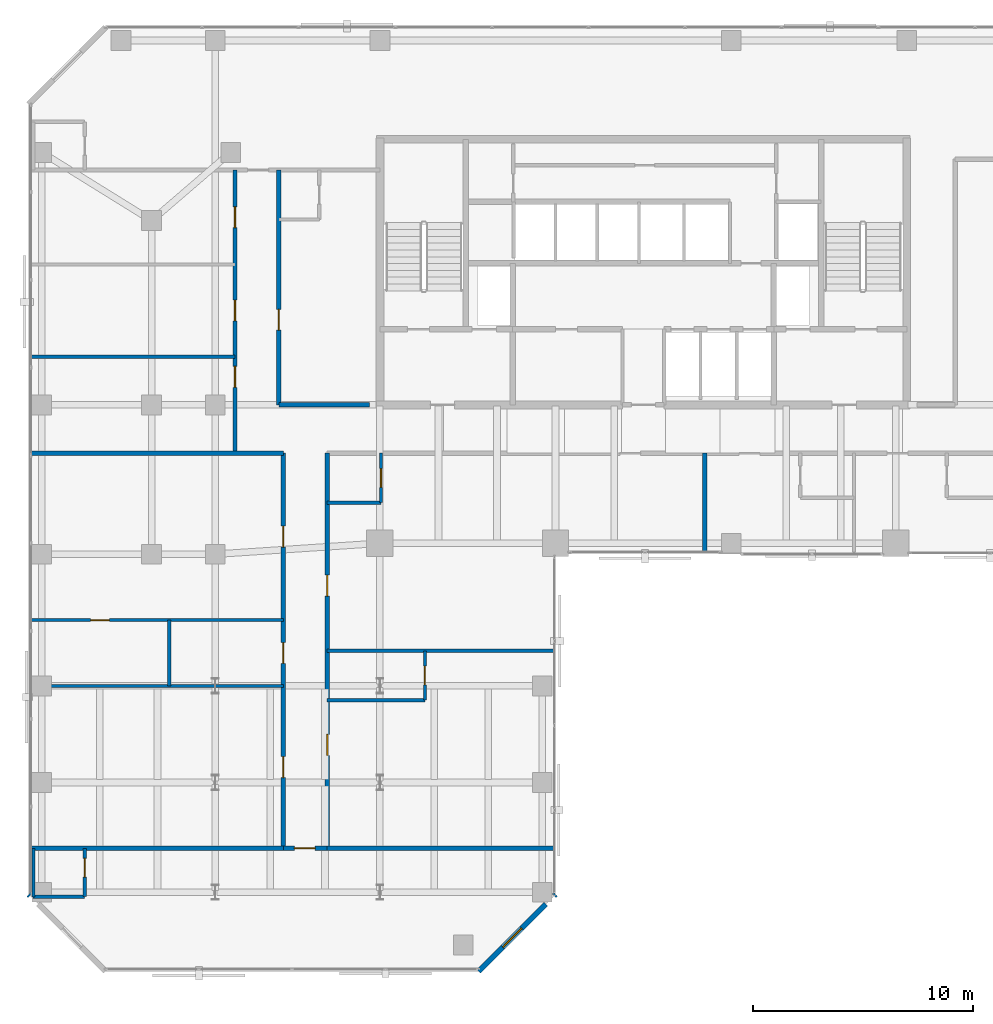
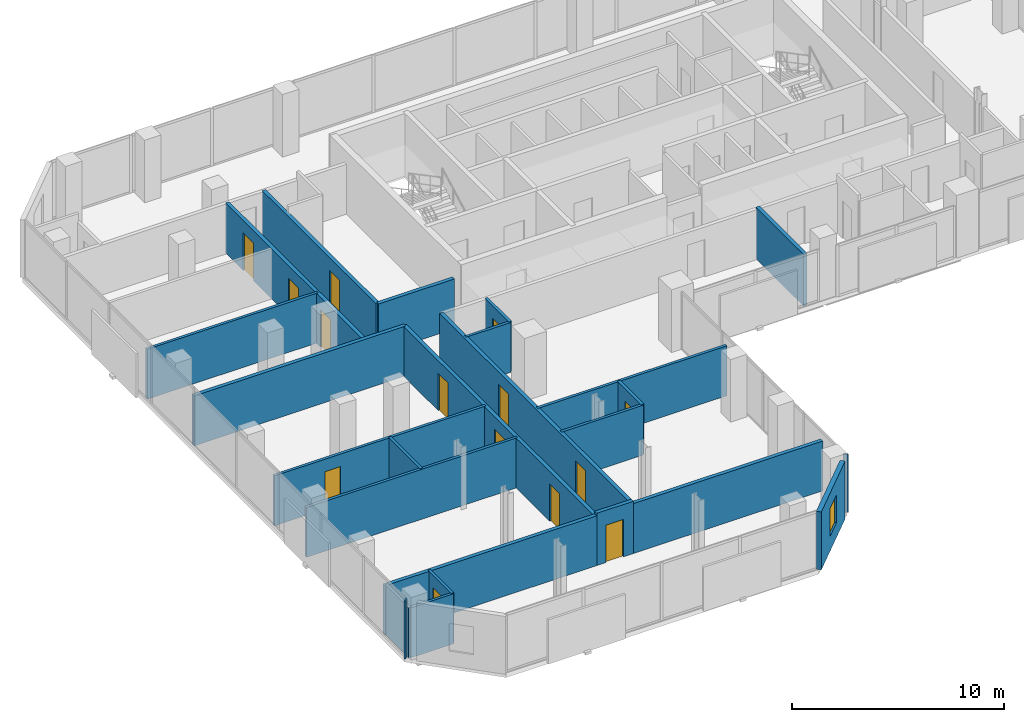
# One storey, part 28 of 34: 25 walls, 14 doors, 1 window, 15 openings.
"""IFC4 building model written with IfcOpenShell, lengths in metres."""

from ifc_helpers import new_model, si_unit, direction, frame, frame_2d, origin, place, context, subcontext, project, spatial, rectangle, extrude, material, layer, layer_set, type_object, element, fill, save


model = new_model("IFC4")

# Units and contexts
model_context = context("Model", 3, precision=1e-05, world=origin(), true_north=direction((0.0, 1.0)))
body_context = subcontext(model_context, "Body", "Model", "MODEL_VIEW")
ifc_project = project(units=[si_unit("LENGTHUNIT", "METRE"), si_unit("AREAUNIT", "SQUARE_METRE"), si_unit("VOLUMEUNIT", "CUBIC_METRE"), si_unit("PLANEANGLEUNIT", "RADIAN"), si_unit("MASSUNIT", "GRAM", prefix="KILO")], contexts=[model_context])

# Site, building, storey
site_placement = place(None, origin())
site = spatial("IfcSite", under=ifc_project, at=site_placement, CompositionType="ELEMENT")
building_placement = place(site_placement, origin())
building = spatial("IfcBuilding", under=site, at=building_placement, Name="Catumbela Crestline Tower", CompositionType="ELEMENT")
storey_placement = place(building_placement, frame((0.0, 0.0, 111.6)))
storey = spatial("IfcBuildingStorey", under=building, at=storey_placement, Name="L28", CompositionType="ELEMENT", Elevation=111.6)

# Walls
ifc_material_1 = material(Name="Acoustic gypsum and mineral-wool partition")
ifc_layer_1 = layer(ifc_material_1, 0.2, Name="Acoustic gypsum and mineral-wool partition")
ifc_layer_set_1 = layer_set([ifc_layer_1], Name="Acoustic gypsum and mineral-wool partition")
wall_type_1 = type_object("IfcWallType", Name="WC-200", PredefinedType="PARTITIONING", material=ifc_layer_set_1)
wall_1_placement = place(storey_placement, frame((0.1, 28.6, 0.0), z_axis=(0.0, 0.0, 1.0), x_axis=(1.0, 0.0, 0.0)))
element("IfcWall", 1, at=wall_1_placement, inside=storey, type_object=wall_type_1, Name="L28 Interior Partition PW-L28-Z2CW-N1", PredefinedType="PARTITIONING", context=body_context, shape_type="SweptSolid", body=[
    extrude(rectangle(XDim=11.5, YDim=0.2, at=frame_2d((5.75, 0.0))), origin(), (0.0, 0.0, 1.0), 2.87),
])
wall_2_placement = place(storey_placement, frame((11.4, 30.8, 0.0), z_axis=(0.0, 0.0, 1.0), x_axis=(1.0, 0.0, 0.0)))
element("IfcWall", 2, at=wall_2_placement, inside=storey, type_object=wall_type_1, Name="L28 Interior Partition PW-L28-Z2CW-N3", PredefinedType="PARTITIONING", context=body_context, shape_type="SweptSolid", body=[
    extrude(rectangle(XDim=4.13, YDim=0.2, at=frame_2d((2.065, 0.0))), origin(), (0.0, 0.0, 1.0), 2.87),
])

# Wall, openings, doors
wall_3_placement = place(storey_placement, frame((11.6, 10.6, 0.0), z_axis=(0.0, 0.0, 1.0), x_axis=(0.0, 1.0, 0.0)))
wall_3 = element("IfcWall", 3, at=wall_3_placement, inside=storey, type_object=wall_type_1, Name="L28 Interior Partition PW-L28-STWC-ENT", PredefinedType="PARTITIONING", context=body_context, shape_type="SweptSolid", body=[
    extrude(rectangle(XDim=18.0, YDim=0.2, at=frame_2d((9.0, 0.0))), origin(), (0.0, 0.0, 1.0), 2.87),
])
opening_1_placement = place(wall_3_placement, frame((8.425, 0.0, 0.0)))
opening_1 = element("IfcOpeningElement", 4, at=opening_1_placement, cuts=wall_3, Name="Opening DF6-095", PredefinedType="OPENING", context=body_context, shape_type="SweptSolid", body=[
    extrude(rectangle(XDim=0.95, YDim=2.15, at=frame_2d((0.475, 1.075))), frame((0.0, 0.11, 0.0), z_axis=(0.0, -1.0, 0.0), x_axis=(1.0, 0.0, 0.0)), (0.0, 0.0, 1.0), 0.22),
])
opening_2_placement = place(wall_3_placement, frame((13.725, 0.0, 0.0)))
opening_2 = element("IfcOpeningElement", 5, at=opening_2_placement, cuts=wall_3, Name="Opening DF6-095", PredefinedType="OPENING", context=body_context, shape_type="SweptSolid", body=[
    extrude(rectangle(XDim=0.95, YDim=2.15, at=frame_2d((0.475, 1.075))), frame((0.0, 0.11, 0.0), z_axis=(0.0, -1.0, 0.0), x_axis=(1.0, 0.0, 0.0)), (0.0, 0.0, 1.0), 0.22),
])
opening_3_placement = place(wall_3_placement, frame((3.225, 0.0, 0.0)))
opening_3 = element("IfcOpeningElement", 6, at=opening_3_placement, cuts=wall_3, Name="Opening DF6-095", PredefinedType="OPENING", context=body_context, shape_type="SweptSolid", body=[
    extrude(rectangle(XDim=0.95, YDim=2.15, at=frame_2d((0.475, 1.075))), frame((0.0, 0.11, 0.0), z_axis=(0.0, -1.0, 0.0), x_axis=(1.0, 0.0, 0.0)), (0.0, 0.0, 1.0), 0.22),
])
ifc_material_2 = material(Name="Aluminium alloy AW-6060-T66", Category="aluminium")
door_type_1 = type_object("IfcDoorType", Name="DF6-095", OperationType="NOTDEFINED", PredefinedType="DOOR", material=ifc_material_2)
door_1_placement = place(opening_1_placement, origin())
door_1 = element("IfcDoor", 7, at=door_1_placement, inside=storey, type_object=door_type_1, Name="L28 Interior Door DR-L28-STWC-ENT", OperationType="SINGLE_SWING_RIGHT", OverallHeight=2.15, OverallWidth=0.95, PredefinedType="DOOR", context=body_context, shape_type="SweptSolid", body=[
    extrude(rectangle(XDim=0.95, YDim=2.15, at=frame_2d((0.475, 1.075))), frame((0.0, 0.025, 0.0), z_axis=(0.0, -1.0, 0.0), x_axis=(1.0, 0.0, 0.0)), (0.0, 0.0, 1.0), 0.05),
])
fill(opening_1, door_1)
door_2_placement = place(opening_2_placement, origin())
door_2 = element("IfcDoor", 8, at=door_2_placement, inside=storey, type_object=door_type_1, Name="L28 Interior Door DR-L28-HKP-ENT", OperationType="SINGLE_SWING_RIGHT", OverallHeight=2.15, OverallWidth=0.95, PredefinedType="DOOR", context=body_context, shape_type="SweptSolid", body=[
    extrude(rectangle(XDim=0.95, YDim=2.15, at=frame_2d((0.475, 1.075))), frame((0.0, 0.025, 0.0), z_axis=(0.0, -1.0, 0.0), x_axis=(1.0, 0.0, 0.0)), (0.0, 0.0, 1.0), 0.05),
])
fill(opening_2, door_2)
door_3_placement = place(opening_3_placement, origin())
door_3 = element("IfcDoor", 9, at=door_3_placement, inside=storey, type_object=door_type_1, Name="L28 Interior Door DR-L28-WEXT-ENT", OperationType="SINGLE_SWING_LEFT", OverallHeight=2.15, OverallWidth=0.95, PredefinedType="DOOR", context=body_context, shape_type="SweptSolid", body=[
    extrude(rectangle(XDim=0.95, YDim=2.15, at=frame_2d((0.475, 1.075))), frame((0.0, 0.025, 0.0), z_axis=(0.0, -1.0, 0.0), x_axis=(1.0, 0.0, 0.0)), (0.0, 0.0, 1.0), 0.05),
])
fill(opening_3, door_3)

wall_4_placement = place(storey_placement, frame((9.4, 28.6, 0.0), z_axis=(0.0, 0.0, 1.0), x_axis=(0.0, 1.0, 0.0)))
wall_4 = element("IfcWall", 10, at=wall_4_placement, inside=storey, type_object=wall_type_1, Name="L28 Interior Partition PW-L28-Z2AS1-ENT", PredefinedType="PARTITIONING", context=body_context, shape_type="SweptSolid", body=[
    extrude(rectangle(XDim=12.9, YDim=0.2, at=frame_2d((6.45, 0.0))), origin(), (0.0, 0.0, 1.0), 2.87),
])
opening_4_placement = place(wall_4_placement, frame((3.005, 0.0, 0.0)))
opening_4 = element("IfcOpeningElement", 11, at=opening_4_placement, cuts=wall_4, Name="Opening DF6-095", PredefinedType="OPENING", context=body_context, shape_type="SweptSolid", body=[
    extrude(rectangle(XDim=0.95, YDim=2.15, at=frame_2d((0.475, 1.075))), frame((0.0, 0.11, 0.0), z_axis=(0.0, -1.0, 0.0), x_axis=(1.0, 0.0, 0.0)), (0.0, 0.0, 1.0), 0.22),
])
opening_5_placement = place(wall_4_placement, frame((6.025, 0.0, 0.0)))
opening_5 = element("IfcOpeningElement", 12, at=opening_5_placement, cuts=wall_4, Name="Opening DF6-095", PredefinedType="OPENING", context=body_context, shape_type="SweptSolid", body=[
    extrude(rectangle(XDim=0.95, YDim=2.15, at=frame_2d((0.475, 1.075))), frame((0.0, 0.11, 0.0), z_axis=(0.0, -1.0, 0.0), x_axis=(1.0, 0.0, 0.0)), (0.0, 0.0, 1.0), 0.22),
])
opening_6_placement = place(wall_4_placement, frame((10.275, 0.0, 0.0)))
opening_6 = element("IfcOpeningElement", 13, at=opening_6_placement, cuts=wall_4, Name="Opening DF6-095", PredefinedType="OPENING", context=body_context, shape_type="SweptSolid", body=[
    extrude(rectangle(XDim=0.95, YDim=2.15, at=frame_2d((0.475, 1.075))), frame((0.0, 0.11, 0.0), z_axis=(0.0, -1.0, 0.0), x_axis=(1.0, 0.0, 0.0)), (0.0, 0.0, 1.0), 0.22),
])
door_4_placement = place(opening_4_placement, origin())
door_4 = element("IfcDoor", 14, at=door_4_placement, inside=storey, type_object=door_type_1, Name="L28 Interior Door DR-L28-Z2AS1-ENT", OperationType="SINGLE_SWING_RIGHT", OverallHeight=2.15, OverallWidth=0.95, PredefinedType="DOOR", context=body_context, shape_type="SweptSolid", body=[
    extrude(rectangle(XDim=0.95, YDim=2.15, at=frame_2d((0.475, 1.075))), frame((0.0, 0.025, 0.0), z_axis=(0.0, -1.0, 0.0), x_axis=(1.0, 0.0, 0.0)), (0.0, 0.0, 1.0), 0.05),
])
fill(opening_4, door_4)
door_5_placement = place(opening_5_placement, origin())
door_5 = element("IfcDoor", 15, at=door_5_placement, inside=storey, type_object=door_type_1, Name="L28 Interior Door DR-L28-Z2MB1-ENT", OperationType="SINGLE_SWING_LEFT", OverallHeight=2.15, OverallWidth=0.95, PredefinedType="DOOR", context=body_context, shape_type="SweptSolid", body=[
    extrude(rectangle(XDim=0.95, YDim=2.15, at=frame_2d((0.475, 1.075))), frame((0.0, 0.025, 0.0), z_axis=(0.0, -1.0, 0.0), x_axis=(1.0, 0.0, 0.0)), (0.0, 0.0, 1.0), 0.05),
])
fill(opening_5, door_5)
door_6_placement = place(opening_6_placement, origin())
door_6 = element("IfcDoor", 16, at=door_6_placement, inside=storey, type_object=door_type_1, Name="L28 Interior Door DR-L28-Z2EX1-ENT", OperationType="SINGLE_SWING_LEFT", OverallHeight=2.15, OverallWidth=0.95, PredefinedType="DOOR", context=body_context, shape_type="SweptSolid", body=[
    extrude(rectangle(XDim=0.95, YDim=2.15, at=frame_2d((0.475, 1.075))), frame((0.0, 0.025, 0.0), z_axis=(0.0, -1.0, 0.0), x_axis=(1.0, 0.0, 0.0)), (0.0, 0.0, 1.0), 0.05),
])
fill(opening_6, door_6)

# Wall, opening, door
wall_5_placement = place(storey_placement, frame((11.4, 30.8, 0.0), z_axis=(0.0, 0.0, 1.0), x_axis=(0.0, 1.0, 0.0)))
wall_5 = element("IfcWall", 17, at=wall_5_placement, inside=storey, type_object=wall_type_1, Name="L28 Interior Partition PW-L28-Z2FS1-ENT", PredefinedType="PARTITIONING", context=body_context, shape_type="SweptSolid", body=[
    extrude(rectangle(XDim=10.7, YDim=0.2, at=frame_2d((5.35, 0.0))), origin(), (0.0, 0.0, 1.0), 2.87),
])
opening_7_placement = place(wall_5_placement, frame((3.405, 0.0, 0.0)))
opening_7 = element("IfcOpeningElement", 18, at=opening_7_placement, cuts=wall_5, Name="Opening DF6-095", PredefinedType="OPENING", context=body_context, shape_type="SweptSolid", body=[
    extrude(rectangle(XDim=0.95, YDim=2.15, at=frame_2d((0.475, 1.075))), frame((0.0, 0.11, 0.0), z_axis=(0.0, -1.0, 0.0), x_axis=(1.0, 0.0, 0.0)), (0.0, 0.0, 1.0), 0.22),
])
door_7_placement = place(opening_7_placement, origin())
door_7 = element("IfcDoor", 19, at=door_7_placement, inside=storey, type_object=door_type_1, Name="L28 Interior Door DR-L28-Z2FS1-ENT", OperationType="SINGLE_SWING_LEFT", OverallHeight=2.15, OverallWidth=0.95, PredefinedType="DOOR", context=body_context, shape_type="SweptSolid", body=[
    extrude(rectangle(XDim=0.95, YDim=2.15, at=frame_2d((0.475, 1.075))), frame((0.0, 0.025, 0.0), z_axis=(0.0, -1.0, 0.0), x_axis=(1.0, 0.0, 0.0)), (0.0, 0.0, 1.0), 0.05),
])
fill(opening_7, door_7)

wall_6_placement = place(storey_placement, frame((11.6, 10.6, 0.0), z_axis=(0.0, 0.0, 1.0), x_axis=(1.0, 0.0, 0.0)))
wall_6 = element("IfcWall", 20, at=wall_6_placement, inside=storey, type_object=wall_type_1, Name="L28 Interior Partition PW-L28-STIP-ENT", PredefinedType="PARTITIONING", context=body_context, shape_type="SweptSolid", body=[
    extrude(rectangle(XDim=2.0, YDim=0.2, at=frame_2d((1.0, 0.0))), origin(), (0.0, 0.0, 1.0), 3.01),
])
opening_8_placement = place(wall_6_placement, frame((0.5025, 0.0, 0.0)))
opening_8 = element("IfcOpeningElement", 21, at=opening_8_placement, cuts=wall_6, Name="Opening DF6-095", PredefinedType="OPENING", context=body_context, shape_type="SweptSolid", body=[
    extrude(rectangle(XDim=0.95, YDim=2.15, at=frame_2d((0.475, 1.075))), frame((0.0, 0.11, 0.0), z_axis=(0.0, -1.0, 0.0), x_axis=(1.0, 0.0, 0.0)), (0.0, 0.0, 1.0), 0.22),
])
door_8_placement = place(opening_8_placement, origin())
door_8 = element("IfcDoor", 22, at=door_8_placement, inside=storey, type_object=door_type_1, Name="L28 Interior Door DR-L28-STIP-ENT", OperationType="SINGLE_SWING_LEFT", OverallHeight=2.15, OverallWidth=0.95, PredefinedType="DOOR", context=body_context, shape_type="SweptSolid", body=[
    extrude(rectangle(XDim=0.95, YDim=2.15, at=frame_2d((0.475, 1.075))), frame((0.0, 0.025, 0.0), z_axis=(0.0, -1.0, 0.0), x_axis=(1.0, 0.0, 0.0)), (0.0, 0.0, 1.0), 0.05),
])
fill(opening_8, door_8)

# Wall, openings, doors
wall_7_placement = place(storey_placement, frame((13.6, 10.6, 0.0), z_axis=(0.0, 0.0, 1.0), x_axis=(0.0, 1.0, 0.0)))
wall_7 = element("IfcWall", 23, at=wall_7_placement, inside=storey, type_object=wall_type_1, Name="L28 Interior Partition PW-L28-SW1-ENT", PredefinedType="PARTITIONING", context=body_context, shape_type="SweptSolid", body=[
    extrude(rectangle(XDim=18.0, YDim=0.2, at=frame_2d((9.0, 0.0))), origin(), (0.0, 0.0, 1.0), 2.87),
])
opening_9_placement = place(wall_7_placement, frame((4.24, 0.0, 0.0)))
opening_9 = element("IfcOpeningElement", 24, at=opening_9_placement, cuts=wall_7, Name="Opening DF6-095", PredefinedType="OPENING", context=body_context, shape_type="SweptSolid", body=[
    extrude(rectangle(XDim=0.95, YDim=2.15, at=frame_2d((0.475, 1.075))), frame((0.0, 0.11, 0.0), z_axis=(0.0, -1.0, 0.0), x_axis=(1.0, 0.0, 0.0)), (0.0, 0.0, 1.0), 0.22),
])
opening_10_placement = place(wall_7_placement, frame((11.4941, 0.0, 0.0)))
opening_10 = element("IfcOpeningElement", 25, at=opening_10_placement, cuts=wall_7, Name="Opening DF6-095", PredefinedType="OPENING", context=body_context, shape_type="SweptSolid", body=[
    extrude(rectangle(XDim=0.95, YDim=2.15, at=frame_2d((0.475, 1.075))), frame((0.0, 0.11, 0.0), z_axis=(0.0, -1.0, 0.0), x_axis=(1.0, 0.0, 0.0)), (0.0, 0.0, 1.0), 0.22),
])
door_9_placement = place(opening_9_placement, origin())
door_9 = element("IfcDoor", 26, at=door_9_placement, inside=storey, type_object=door_type_1, Name="L28 Interior Door DR-L28-SW1-ENT", OperationType="SINGLE_SWING_RIGHT", OverallHeight=2.15, OverallWidth=0.95, PredefinedType="DOOR", context=body_context, shape_type="SweptSolid", body=[
    extrude(rectangle(XDim=0.95, YDim=2.15, at=frame_2d((0.475, 1.075))), frame((0.0, 0.025, 0.0), z_axis=(0.0, -1.0, 0.0), x_axis=(1.0, 0.0, 0.0)), (0.0, 0.0, 1.0), 0.05),
])
fill(opening_9, door_9)
door_10_placement = place(opening_10_placement, origin())
door_10 = element("IfcDoor", 27, at=door_10_placement, inside=storey, type_object=door_type_1, Name="L28 Interior Door DR-L28-SW2-ENT", OperationType="SINGLE_SWING_LEFT", OverallHeight=2.15, OverallWidth=0.95, PredefinedType="DOOR", context=body_context, shape_type="SweptSolid", body=[
    extrude(rectangle(XDim=0.95, YDim=2.15, at=frame_2d((0.475, 1.075))), frame((0.0, 0.025, 0.0), z_axis=(0.0, -1.0, 0.0), x_axis=(1.0, 0.0, 0.0)), (0.0, 0.0, 1.0), 0.05),
])
fill(opening_10, door_10)

# Wall, opening, window
ifc_material_3 = material(Name="Angolan grey-ochre granite", Category="masonry")
ifc_layer_2 = layer(ifc_material_3, 0.25, Name="Angolan grey-ochre granite")
ifc_layer_set_2 = layer_set([ifc_layer_2], Name="Angolan grey-ochre granite")
wall_type_2 = type_object("IfcWallType", Name="WE-250", PredefinedType="STANDARD", material=ifc_layer_set_2)
wall_8_placement = place(storey_placement, frame((20.5, 5.0, 0.0), z_axis=(0.0, 0.0, 1.0), x_axis=(0.707106781187, 0.707106781187, 0.0)))
wall_8 = element("IfcWall", 28, at=wall_8_placement, inside=storey, type_object=wall_type_2, Name="L28 Granite Punched Window Wall 1-1", PredefinedType="STANDARD", context=body_context, shape_type="SweptSolid", body=[
    extrude(rectangle(XDim=4.3298, YDim=0.25, at=frame_2d((2.1649, 0.0))), origin(), (0.0, 0.0, 1.0), 3.33),
])
opening_11_placement = place(wall_8_placement, frame((1.5649, 0.0, 0.85)))
opening_11 = element("IfcOpeningElement", 29, at=opening_11_placement, cuts=wall_8, Name="Opening WN-02", PredefinedType="OPENING", context=body_context, shape_type="SweptSolid", body=[
    extrude(rectangle(XDim=1.2, YDim=1.6, at=frame_2d((0.6, 0.8))), frame((0.0, 0.135, 0.0), z_axis=(0.0, -1.0, 0.0), x_axis=(1.0, 0.0, 0.0)), (0.0, 0.0, 1.0), 0.27),
])
ifc_material_4 = material(Name="Low-E laminated solar-control double glazing", Category="glass")
window_type = type_object("IfcWindowType", Name="WO-1200", PartitioningType="SINGLE_PANEL", PredefinedType="WINDOW", material=ifc_material_4)
window_placement = place(opening_11_placement, origin())
window = element("IfcWindow", 30, at=window_placement, inside=storey, type_object=window_type, Name="L28 Facade Vision Window 160", OverallHeight=1.6, OverallWidth=1.2, PartitioningType="SINGLE_PANEL", PredefinedType="WINDOW", context=body_context, shape_type="SweptSolid", body=[
    extrude(rectangle(XDim=1.2, YDim=1.6, at=frame_2d((0.6, 0.8))), frame((0.0, 0.03, 0.0), z_axis=(0.0, -1.0, 0.0), x_axis=(1.0, 0.0, 0.0)), (0.0, 0.0, 1.0), 0.06),
])
fill(opening_11, window)

# Walls
for number, where, z_axis, x_axis, name in (
    (31, (23.9384, 8.4384, 0.0), (0.0, 0.0, 1.0), (0.707106781187, 0.707106781187, 0.0), "L28 Granite Punched Window Wall 1-2"),
    (32, (0.0, 8.5, 0.0), (0.0, 0.0, 1.0), (0.707106781187, -0.707106781187, 0.0), "L28 Granite Punched Window Wall 10-1"),
):
    element("IfcWall", number, at=place(storey_placement, frame(where, z_axis=z_axis, x_axis=x_axis)), inside=storey, type_object=wall_type_2, Name=name, PredefinedType="STANDARD", context=body_context, shape_type="SweptSolid", body=[
        extrude(rectangle(XDim=0.0871, YDim=0.25, at=frame_2d((0.0436, 0.0))), origin(), (0.0, 0.0, 1.0), 3.33),
    ])
ifc_layer_3 = layer(ifc_material_1, 0.15, Name="Acoustic gypsum and mineral-wool partition")
ifc_layer_set_3 = layer_set([ifc_layer_3], Name="Acoustic gypsum and mineral-wool partition")
wall_type_3 = type_object("IfcWallType", Name="WP-150", PredefinedType="PARTITIONING", material=ifc_layer_set_3)
wall_9_placement = place(storey_placement, frame((0.1, 18.0, 0.0), z_axis=(0.0, 0.0, 1.0), x_axis=(1.0, 0.0, 0.0)))
element("IfcWall", 33, at=wall_9_placement, inside=storey, type_object=wall_type_3, Name="L28 Interior Partition PW-L28-Z2W-1", PredefinedType="PARTITIONING", context=body_context, shape_type="SweptSolid", body=[
    extrude(rectangle(XDim=11.5, YDim=0.15, at=frame_2d((5.75, 0.0))), origin(), (0.0, 0.0, 1.0), 2.87),
])

# Wall, opening, door
wall_10_placement = place(storey_placement, frame((0.1, 21.0, 0.0), z_axis=(0.0, 0.0, 1.0), x_axis=(1.0, 0.0, 0.0)))
wall_10 = element("IfcWall", 34, at=wall_10_placement, inside=storey, type_object=wall_type_3, Name="L28 Interior Partition PW-L28-Z2W-2", PredefinedType="PARTITIONING", context=body_context, shape_type="SweptSolid", body=[
    extrude(rectangle(XDim=11.5, YDim=0.15, at=frame_2d((5.75, 0.0))), origin(), (0.0, 0.0, 1.0), 2.87),
])
opening_12_placement = place(wall_10_placement, frame((2.725, 0.0, 0.0)))
opening_12 = element("IfcOpeningElement", 35, at=opening_12_placement, cuts=wall_10, Name="Opening DI-085", PredefinedType="OPENING", context=body_context, shape_type="SweptSolid", body=[
    extrude(rectangle(XDim=0.85, YDim=2.15, at=frame_2d((0.425, 1.075))), frame((0.0, 0.085, 0.0), z_axis=(0.0, -1.0, 0.0), x_axis=(1.0, 0.0, 0.0)), (0.0, 0.0, 1.0), 0.17),
])
door_type_2 = type_object("IfcDoorType", Name="DI-085", OperationType="NOTDEFINED", PredefinedType="DOOR", material=ifc_material_2)
door_11_placement = place(opening_12_placement, origin())
door_11 = element("IfcDoor", 36, at=door_11_placement, inside=storey, type_object=door_type_2, Name="L28 Interior Door DR-L28-STSTO", OperationType="SINGLE_SWING_LEFT", OverallHeight=2.15, OverallWidth=0.85, PredefinedType="DOOR", context=body_context, shape_type="SweptSolid", body=[
    extrude(rectangle(XDim=0.85, YDim=2.15, at=frame_2d((0.425, 1.075))), frame((0.0, 0.025, 0.0), z_axis=(0.0, -1.0, 0.0), x_axis=(1.0, 0.0, 0.0)), (0.0, 0.0, 1.0), 0.05),
])
fill(opening_12, door_11)

# Walls
wall_11_placement = place(storey_placement, frame((6.4, 18.0, 0.0), z_axis=(0.0, 0.0, 1.0), x_axis=(0.0, 1.0, 0.0)))
element("IfcWall", 37, at=wall_11_placement, inside=storey, type_object=wall_type_3, Name="L28 Interior Partition PW-L28-Z2W-WCX", PredefinedType="PARTITIONING", context=body_context, shape_type="SweptSolid", body=[
    extrude(rectangle(XDim=3.0, YDim=0.15, at=frame_2d((1.5, 0.0))), origin(), (0.0, 0.0, 1.0), 2.87),
])
wall_12_placement = place(storey_placement, frame((0.1, 33.0, 0.0), z_axis=(0.0, 0.0, 1.0), x_axis=(1.0, 0.0, 0.0)))
element("IfcWall", 38, at=wall_12_placement, inside=storey, type_object=wall_type_3, Name="L28 Interior Partition PW-L28-Z2G2-1", PredefinedType="PARTITIONING", context=body_context, shape_type="SweptSolid", body=[
    extrude(rectangle(XDim=9.3, YDim=0.15, at=frame_2d((4.65, 0.0))), origin(), (0.0, 0.0, 1.0), 2.87),
])
wall_13_placement = place(storey_placement, frame((0.2, 8.4, 0.0), z_axis=(0.0, 0.0, 1.0), x_axis=(1.0, 0.0, 0.0)))
element("IfcWall", 39, at=wall_13_placement, inside=storey, type_object=wall_type_3, Name="L28 Interior Partition PW-L28-STIP-BHW", PredefinedType="PARTITIONING", context=body_context, shape_type="SweptSolid", body=[
    extrude(rectangle(XDim=2.35, YDim=0.15, at=frame_2d((1.175, 0.0))), origin(), (0.0, 0.0, 1.0), 2.87),
])

# Wall, opening, door
wall_14_placement = place(storey_placement, frame((2.55, 8.4, 0.0), z_axis=(0.0, 0.0, 1.0), x_axis=(0.0, 1.0, 0.0)))
wall_14 = element("IfcWall", 40, at=wall_14_placement, inside=storey, type_object=wall_type_3, Name="L28 Interior Partition PW-L28-STIP-BEW", PredefinedType="PARTITIONING", context=body_context, shape_type="SweptSolid", body=[
    extrude(rectangle(XDim=2.2, YDim=0.15, at=frame_2d((1.1, 0.0))), origin(), (0.0, 0.0, 1.0), 2.87),
])
opening_13_placement = place(wall_14_placement, frame((0.8925, 0.0, 0.0)))
opening_13 = element("IfcOpeningElement", 41, at=opening_13_placement, cuts=wall_14, Name="Opening DI-085", PredefinedType="OPENING", context=body_context, shape_type="SweptSolid", body=[
    extrude(rectangle(XDim=0.85, YDim=2.15, at=frame_2d((0.425, 1.075))), frame((0.0, 0.085, 0.0), z_axis=(0.0, -1.0, 0.0), x_axis=(1.0, 0.0, 0.0)), (0.0, 0.0, 1.0), 0.17),
])
door_12_placement = place(opening_13_placement, origin())
door_12 = element("IfcDoor", 42, at=door_12_placement, inside=storey, type_object=door_type_2, Name="L28 Interior Door DR-L28-STIP-BTH", OperationType="SINGLE_SWING_LEFT", OverallHeight=2.15, OverallWidth=0.85, PredefinedType="DOOR", context=body_context, shape_type="SweptSolid", body=[
    extrude(rectangle(XDim=0.85, YDim=2.15, at=frame_2d((0.425, 1.075))), frame((0.0, 0.025, 0.0), z_axis=(0.0, -1.0, 0.0), x_axis=(1.0, 0.0, 0.0)), (0.0, 0.0, 1.0), 0.05),
])
fill(opening_13, door_12)

# Walls
wall_15_placement = place(storey_placement, frame((0.22, 8.38, 0.0), z_axis=(0.0, 0.0, 1.0), x_axis=(0.0, 1.0, 0.0)))
element("IfcWall", 43, at=wall_15_placement, inside=storey, type_object=wall_type_3, Name="L28 Interior Partition PW-L28-STIP-BCL-3", PredefinedType="PARTITIONING", context=body_context, shape_type="SweptSolid", body=[
    extrude(rectangle(XDim=2.22, YDim=0.15, at=frame_2d((1.11, 0.0))), origin(), (0.0, 0.0, 1.0), 2.87),
])
wall_16_placement = place(storey_placement, frame((13.6, 17.35, 0.0), z_axis=(0.0, 0.0, 1.0), x_axis=(1.0, 0.0, 0.0)))
element("IfcWall", 44, at=wall_16_placement, inside=storey, type_object=wall_type_3, Name="L28 Interior Partition PW-L28-SW1-BSW", PredefinedType="PARTITIONING", context=body_context, shape_type="SweptSolid", body=[
    extrude(rectangle(XDim=4.45, YDim=0.15, at=frame_2d((2.225, 0.0))), origin(), (0.0, 0.0, 1.0), 2.87),
])

# Wall, opening, door
wall_17_placement = place(storey_placement, frame((18.05, 17.35, 0.0), z_axis=(0.0, 0.0, 1.0), x_axis=(0.0, 1.0, 0.0)))
wall_17 = element("IfcWall", 45, at=wall_17_placement, inside=storey, type_object=wall_type_3, Name="L28 Interior Partition PW-L28-SW1-BEW", PredefinedType="PARTITIONING", context=body_context, shape_type="SweptSolid", body=[
    extrude(rectangle(XDim=2.25, YDim=0.15, at=frame_2d((1.125, 0.0))), origin(), (0.0, 0.0, 1.0), 2.87),
])
opening_14_placement = place(wall_17_placement, frame((0.7, 0.0, 0.0)))
opening_14 = element("IfcOpeningElement", 46, at=opening_14_placement, cuts=wall_17, Name="Opening DI-085", PredefinedType="OPENING", context=body_context, shape_type="SweptSolid", body=[
    extrude(rectangle(XDim=0.85, YDim=2.15, at=frame_2d((0.425, 1.075))), frame((0.0, 0.085, 0.0), z_axis=(0.0, -1.0, 0.0), x_axis=(1.0, 0.0, 0.0)), (0.0, 0.0, 1.0), 0.17),
])
door_13_placement = place(opening_14_placement, origin())
door_13 = element("IfcDoor", 47, at=door_13_placement, inside=storey, type_object=door_type_2, Name="L28 Interior Door DR-L28-SW1-BTH", OperationType="SINGLE_SWING_LEFT", OverallHeight=2.15, OverallWidth=0.85, PredefinedType="DOOR", context=body_context, shape_type="SweptSolid", body=[
    extrude(rectangle(XDim=0.85, YDim=2.15, at=frame_2d((0.425, 1.075))), frame((0.0, 0.025, 0.0), z_axis=(0.0, -1.0, 0.0), x_axis=(1.0, 0.0, 0.0)), (0.0, 0.0, 1.0), 0.05),
])
fill(opening_14, door_13)

# Walls
wall_18_placement = place(storey_placement, frame((13.6, 19.6, 0.0), z_axis=(0.0, 0.0, 1.0), x_axis=(1.0, 0.0, 0.0)))
element("IfcWall", 48, at=wall_18_placement, inside=storey, type_object=wall_type_3, Name="L28 Interior Partition PW-L28-SW1-BCL-1", PredefinedType="PARTITIONING", context=body_context, shape_type="SweptSolid", body=[
    extrude(rectangle(XDim=10.3, YDim=0.15, at=frame_2d((5.15, 0.0))), origin(), (0.0, 0.0, 1.0), 2.87),
])
wall_19_placement = place(storey_placement, frame((13.6, 26.35, 0.0), z_axis=(0.0, 0.0, 1.0), x_axis=(1.0, 0.0, 0.0)))
element("IfcWall", 49, at=wall_19_placement, inside=storey, type_object=wall_type_3, Name="L28 Interior Partition PW-L28-SW2-BSW", PredefinedType="PARTITIONING", context=body_context, shape_type="SweptSolid", body=[
    extrude(rectangle(XDim=2.45, YDim=0.15, at=frame_2d((1.225, 0.0))), origin(), (0.0, 0.0, 1.0), 2.87),
])

# Wall, opening, door
wall_20_placement = place(storey_placement, frame((16.05, 26.35, 0.0), z_axis=(0.0, 0.0, 1.0), x_axis=(0.0, 1.0, 0.0)))
wall_20 = element("IfcWall", 50, at=wall_20_placement, inside=storey, type_object=wall_type_3, Name="L28 Interior Partition PW-L28-SW2-BEW", PredefinedType="PARTITIONING", context=body_context, shape_type="SweptSolid", body=[
    extrude(rectangle(XDim=2.25, YDim=0.15, at=frame_2d((1.125, 0.0))), origin(), (0.0, 0.0, 1.0), 2.87),
])
opening_15_placement = place(wall_20_placement, frame((0.7, 0.0, 0.0)))
opening_15 = element("IfcOpeningElement", 51, at=opening_15_placement, cuts=wall_20, Name="Opening DI-085", PredefinedType="OPENING", context=body_context, shape_type="SweptSolid", body=[
    extrude(rectangle(XDim=0.85, YDim=2.15, at=frame_2d((0.425, 1.075))), frame((0.0, 0.085, 0.0), z_axis=(0.0, -1.0, 0.0), x_axis=(1.0, 0.0, 0.0)), (0.0, 0.0, 1.0), 0.17),
])
door_14_placement = place(opening_15_placement, origin())
door_14 = element("IfcDoor", 52, at=door_14_placement, inside=storey, type_object=door_type_2, Name="L28 Interior Door DR-L28-SW2-BTH", OperationType="SINGLE_SWING_LEFT", OverallHeight=2.15, OverallWidth=0.85, PredefinedType="DOOR", context=body_context, shape_type="SweptSolid", body=[
    extrude(rectangle(XDim=0.85, YDim=2.15, at=frame_2d((0.425, 1.075))), frame((0.0, 0.025, 0.0), z_axis=(0.0, -1.0, 0.0), x_axis=(1.0, 0.0, 0.0)), (0.0, 0.0, 1.0), 0.05),
])
fill(opening_15, door_14)

# Walls
ifc_layer_4 = layer(ifc_material_1, 0.2, Name="Acoustic gypsum and mineral-wool partition")
ifc_layer_set_4 = layer_set([ifc_layer_4], Name="Acoustic gypsum and mineral-wool partition")
wall_type_4 = type_object("IfcWallType", Name="WY-200", PredefinedType="PARTITIONING", material=ifc_layer_set_4)
wall_21_placement = place(storey_placement, frame((0.1, 10.6, 0.0), z_axis=(0.0, 0.0, 1.0), x_axis=(1.0, 0.0, 0.0)))
element("IfcWall", 53, at=wall_21_placement, inside=storey, type_object=wall_type_4, Name="L28 Interior Partition PW-L28-STIP-WL", PredefinedType="PARTITIONING", context=body_context, shape_type="SweptSolid", body=[
    extrude(rectangle(XDim=11.5, YDim=0.2, at=frame_2d((5.75, 0.0))), origin(), (0.0, 0.0, 1.0), 2.87),
])
wall_22_placement = place(storey_placement, frame((13.6, 10.6, 0.0), z_axis=(0.0, 0.0, 1.0), x_axis=(1.0, 0.0, 0.0)))
element("IfcWall", 54, at=wall_22_placement, inside=storey, type_object=wall_type_4, Name="L28 Interior Partition PW-L28-STIP-WR", PredefinedType="PARTITIONING", context=body_context, shape_type="SweptSolid", body=[
    extrude(rectangle(XDim=10.3, YDim=0.2, at=frame_2d((5.15, 0.0))), origin(), (0.0, 0.0, 1.0), 2.87),
])
wall_23_placement = place(storey_placement, frame((30.8, 24.1, 0.0), z_axis=(0.0, 0.0, 1.0), x_axis=(0.0, 1.0, 0.0)))
element("IfcWall", 55, at=wall_23_placement, inside=storey, type_object=wall_type_4, Name="L28 Interior Partition PW-L28-Z2SPP-2", PredefinedType="PARTITIONING", context=body_context, shape_type="SweptSolid", body=[
    extrude(rectangle(XDim=4.5, YDim=0.2, at=frame_2d((2.25, 0.0))), origin(), (0.0, 0.0, 1.0), 2.96),
])

save(model, "model.ifc")
